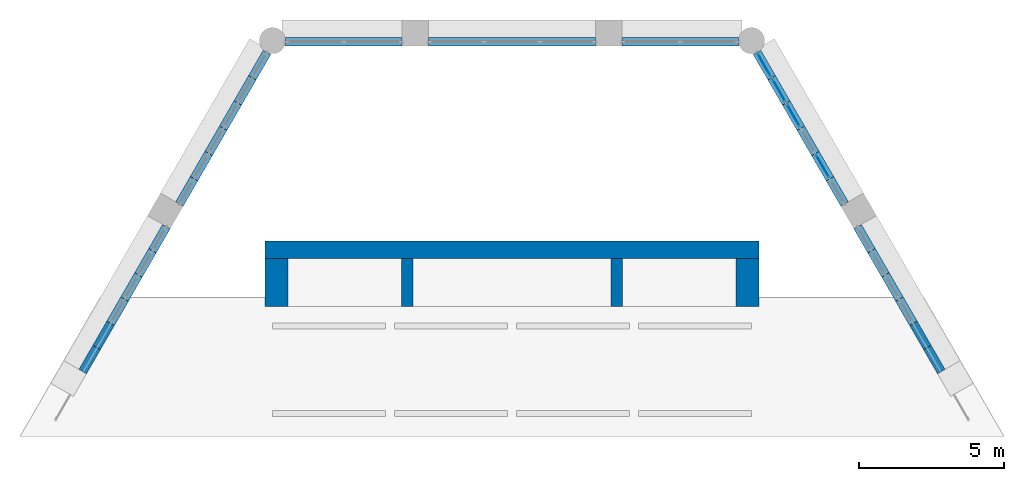
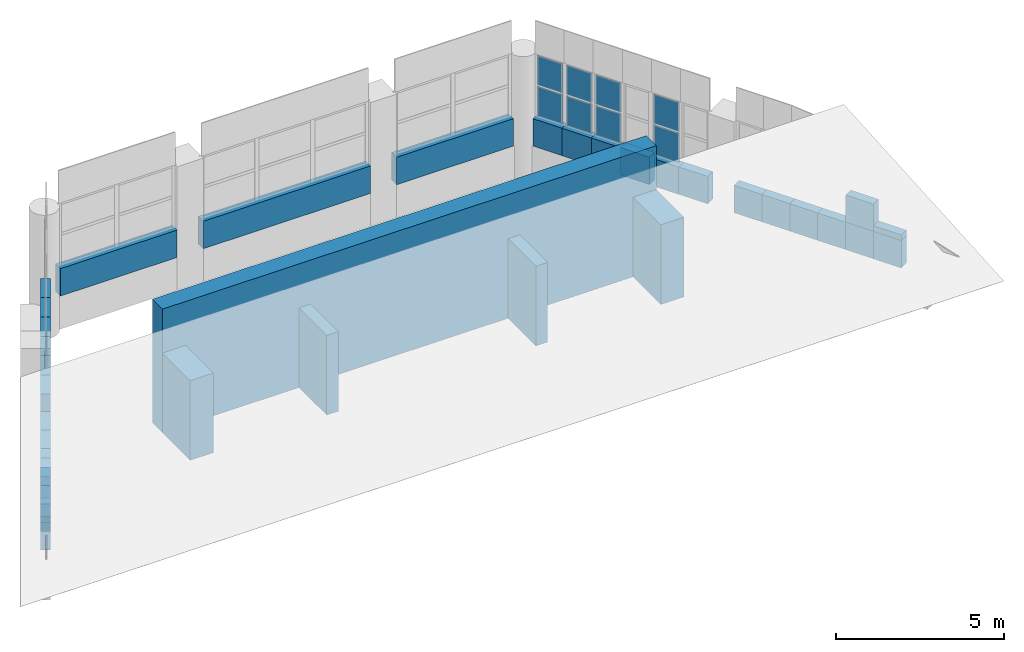
# One storey, part 10 of 11: 36 walls, 8 plates, 4 elements without a shape of their own.
"""IFC4 building model written with IfcOpenShell, lengths in metres."""

from ifc_helpers import new_model, si_unit, direction, frame, frame_2d, origin, origin_2d, place, context, subcontext, project, spatial, rectangle, extrude, material, layer, layer_set, type_object, element, aggregate, save


model = new_model("IFC4")

# Units and contexts
model_context = context("Model", 3, precision=1e-05, world=origin(), true_north=direction((0.0, 1.0)))
body_context = subcontext(model_context, "Body", "Model", "MODEL_VIEW")
ifc_project = project(units=[si_unit("LENGTHUNIT", "METRE"), si_unit("AREAUNIT", "SQUARE_METRE"), si_unit("VOLUMEUNIT", "CUBIC_METRE"), si_unit("PLANEANGLEUNIT", "RADIAN"), si_unit("MASSUNIT", "GRAM", prefix="KILO")], contexts=[model_context])

# Site, building, storey
site_placement = place(None, origin())
site = spatial("IfcSite", under=ifc_project, at=site_placement, CompositionType="ELEMENT")
building_placement = place(site_placement, origin())
building = spatial("IfcBuilding", under=site, at=building_placement, Name="Ostrander Bayou Hotel Tower", CompositionType="ELEMENT")
storey_placement = place(building_placement, frame((0.0, 0.0, 293.0)))
storey = spatial("IfcBuildingStorey", under=building, at=storey_placement, Name="Roof 72", CompositionType="ELEMENT", Elevation=293.0)

# Curtain wall, plates
ifc_material_1 = material(Name="Aluminium and clear glass", Category="aluminium")
curtain_wall_type = type_object("IfcCurtainWallType", Name="CW-CROWN glazed wall", PredefinedType="NOTDEFINED", material=ifc_material_1)
curtain_wall_1_placement = place(storey_placement, origin())
curtain_wall_1 = element("IfcCurtainWall", 1, at=curtain_wall_1_placement, inside=storey, type_object=curtain_wall_type, Name="CW-CROWN L72:NE-3-2", PredefinedType="NOTDEFINED")
ifc_material_2 = material(Name="Clear laminated glass", Category="glass")
ifc_layer_1 = layer(ifc_material_2, 0.028076171875)
ifc_layer_set_1 = layer_set([ifc_layer_1], Name="CW-CR glazing panel 28 mm")
plate_type = type_object("IfcPlateType", Name="CW-CR glazing panel 28 mm", PredefinedType="CURTAIN_PANEL", material=ifc_layer_set_1)
plate_1_placement = place(storey_placement, frame((10.689208984375, 12.27294921875, 1.06005859375), z_axis=(0.0, 0.0, 1.0), x_axis=(-0.50004173523, 0.866001306597, 0.0)))
plate_1 = element("IfcPlate", 2, at=plate_1_placement, type_object=plate_type, Name="CW-CROWN panel 1.1", PredefinedType="CURTAIN_PANEL", context=body_context, shape_type="SweptSolid", body=[
    extrude(rectangle(XDim=0.883056640625, YDim=0.028076171875, at=origin_2d()), origin(), (0.0, 0.0, 1.0), 1.06005859375),
])
plate_2_placement = place(storey_placement, frame((10.689208984375, 12.27294921875, 2.179931640625), z_axis=(0.0, 0.0, 1.0), x_axis=(-0.50004173523, 0.866001306597, 0.0)))
plate_2 = element("IfcPlate", 3, at=plate_2_placement, type_object=plate_type, Name="CW-CROWN panel 1.2", PredefinedType="CURTAIN_PANEL", context=body_context, shape_type="SweptSolid", body=[
    extrude(rectangle(XDim=0.883056640625, YDim=0.028076171875, at=origin_2d()), origin(), (0.0, 0.0, 1.0), 1.06005859375),
])
aggregate(curtain_wall_1, [plate_1, plate_2])

curtain_wall_2_placement = place(storey_placement, origin())
curtain_wall_2 = element("IfcCurtainWall", 4, at=curtain_wall_2_placement, inside=storey, type_object=curtain_wall_type, Name="CW-CROWN L72:NE-3-4", PredefinedType="NOTDEFINED")
plate_3_placement = place(storey_placement, frame((9.68603515625, 14.010498046875, 1.06005859375), z_axis=(0.0, 0.0, 1.0), x_axis=(-0.499998569184, 0.866026229865, 0.0)))
plate_3 = element("IfcPlate", 5, at=plate_3_placement, type_object=plate_type, Name="CW-CROWN panel 1.1", PredefinedType="CURTAIN_PANEL", context=body_context, shape_type="SweptSolid", body=[
    extrude(rectangle(XDim=0.88330078125, YDim=0.028076171875, at=origin_2d()), origin(), (0.0, 0.0, 1.0), 1.06005859375),
])
plate_4_placement = place(storey_placement, frame((9.68603515625, 14.010498046875, 2.179931640625), z_axis=(0.0, 0.0, 1.0), x_axis=(-0.499998569184, 0.866026229865, 0.0)))
plate_4 = element("IfcPlate", 6, at=plate_4_placement, type_object=plate_type, Name="CW-CROWN panel 1.2", PredefinedType="CURTAIN_PANEL", context=body_context, shape_type="SweptSolid", body=[
    extrude(rectangle(XDim=0.88330078125, YDim=0.028076171875, at=origin_2d()), origin(), (0.0, 0.0, 1.0), 1.06005859375),
])
aggregate(curtain_wall_2, [plate_3, plate_4])

curtain_wall_3_placement = place(storey_placement, origin())
curtain_wall_3 = element("IfcCurtainWall", 7, at=curtain_wall_3_placement, inside=storey, type_object=curtain_wall_type, Name="CW-CROWN L72:NE-3-5", PredefinedType="NOTDEFINED")
plate_5_placement = place(storey_placement, frame((9.184326171875, 14.879150390625, 1.06005859375), z_axis=(0.0, 0.0, 1.0), x_axis=(-0.50004173523, 0.866001306597, 0.0)))
plate_5 = element("IfcPlate", 8, at=plate_5_placement, type_object=plate_type, Name="CW-CROWN panel 1.1", PredefinedType="CURTAIN_PANEL", context=body_context, shape_type="SweptSolid", body=[
    extrude(rectangle(XDim=0.883056640625, YDim=0.028076171875, at=origin_2d()), origin(), (0.0, 0.0, 1.0), 1.06005859375),
])
plate_6_placement = place(storey_placement, frame((9.184326171875, 14.879150390625, 2.179931640625), z_axis=(0.0, 0.0, 1.0), x_axis=(-0.50004173523, 0.866001306597, 0.0)))
plate_6 = element("IfcPlate", 9, at=plate_6_placement, type_object=plate_type, Name="CW-CROWN panel 1.2", PredefinedType="CURTAIN_PANEL", context=body_context, shape_type="SweptSolid", body=[
    extrude(rectangle(XDim=0.883056640625, YDim=0.028076171875, at=origin_2d()), origin(), (0.0, 0.0, 1.0), 1.06005859375),
])
aggregate(curtain_wall_3, [plate_5, plate_6])

curtain_wall_4_placement = place(storey_placement, origin())
curtain_wall_4 = element("IfcCurtainWall", 10, at=curtain_wall_4_placement, inside=storey, type_object=curtain_wall_type, Name="CW-CROWN L72:NE-3-6", PredefinedType="NOTDEFINED")
plate_7_placement = place(storey_placement, frame((8.682861328125, 15.748046875, 1.06005859375), z_axis=(0.0, 0.0, 1.0), x_axis=(-0.499998569184, 0.866026229865, 0.0)))
plate_7 = element("IfcPlate", 11, at=plate_7_placement, type_object=plate_type, Name="CW-CROWN panel 1.1", PredefinedType="CURTAIN_PANEL", context=body_context, shape_type="SweptSolid", body=[
    extrude(rectangle(XDim=0.88330078125, YDim=0.028076171875, at=origin_2d()), origin(), (0.0, 0.0, 1.0), 1.06005859375),
])
plate_8_placement = place(storey_placement, frame((8.682861328125, 15.748046875, 2.179931640625), z_axis=(0.0, 0.0, 1.0), x_axis=(-0.499998569184, 0.866026229865, 0.0)))
plate_8 = element("IfcPlate", 12, at=plate_8_placement, type_object=plate_type, Name="CW-CROWN panel 1.2", PredefinedType="CURTAIN_PANEL", context=body_context, shape_type="SweptSolid", body=[
    extrude(rectangle(XDim=0.88330078125, YDim=0.028076171875, at=origin_2d()), origin(), (0.0, 0.0, 1.0), 1.06005859375),
])
aggregate(curtain_wall_4, [plate_7, plate_8])

# Walls
ifc_material_3 = material(Name="Concrete f'c 60 MPa", Category="concrete")
ifc_layer_2 = layer(ifc_material_3, 0.60009765625)
ifc_layer_set_2 = layer_set([ifc_layer_2], Name="CW10 core wall 600 mm f'c 60 MPa")
wall_type_1 = type_object("IfcWallType", Name="CW10 core wall 600 mm f'c 60 MPa", PredefinedType="SHEAR", material=ifc_layer_set_2)
wall_1_placement = place(storey_placement, frame((-8.5, 9.39990234375, -0.300048828125), z_axis=(0.0, 0.0, 1.0), x_axis=(1.0, 0.0, 0.0)))
element("IfcWall", 13, at=wall_1_placement, inside=storey, type_object=wall_type_1, Name="CW10 L72 N", PredefinedType="SHEAR", context=body_context, shape_type="SweptSolid", body=[
    extrude(rectangle(XDim=17.0, YDim=0.60009765625, at=frame_2d((8.5, 0.0))), origin(), (0.0, 0.0, 1.0), 4.5),
])
ifc_material_4 = material(Name="Concrete f'c 60 MPa", Category="concrete")
ifc_layer_3 = layer(ifc_material_4, 0.800048828125)
ifc_layer_set_3 = layer_set([ifc_layer_3], Name="CW11 core spine wall 800 mm f'c 60 MPa")
wall_type_2 = type_object("IfcWallType", Name="CW11 core spine wall 800 mm f'c 60 MPa", PredefinedType="SHEAR", material=ifc_layer_set_3)
for number, where, z_axis, x_axis, name in (
    (14, (-8.10009765625, 7.44384765625, -0.300048828125), (0.0, 0.0, 1.0), (0.0, 1.0, 0.0), "CW11 L72 W"),
    (15, (8.10009765625, 7.44384765625, -0.300048828125), (0.0, 0.0, 1.0), (0.0, 1.0, 0.0), "CW11 L72 E"),
):
    element("IfcWall", number, at=place(storey_placement, frame(where, z_axis=z_axis, x_axis=x_axis)), inside=storey, type_object=wall_type_2, Name=name, PredefinedType="SHEAR", context=body_context, shape_type="SweptSolid", body=[
        extrude(rectangle(XDim=1.65625, YDim=0.800048828125, at=frame_2d((0.828125, 0.0))), origin(), (0.0, 0.0, 1.0), 2.900146484375),
    ])
ifc_material_5 = material(Name="Concrete f'c 60 MPa", Category="concrete")
ifc_layer_4 = layer(ifc_material_5, 0.39990234375)
ifc_layer_set_4 = layer_set([ifc_layer_4], Name="CW12 core bank wall 400 mm f'c 60 MPa")
wall_type_3 = type_object("IfcWallType", Name="CW12 core bank wall 400 mm f'c 60 MPa", PredefinedType="SHEAR", material=ifc_layer_set_4)
for number, where, z_axis, x_axis, name in (
    (16, (-3.60009765625, 7.44384765625, -0.300048828125), (0.0, 0.0, 1.0), (0.0, 1.0, 0.0), "CW12 L72 CW"),
    (17, (3.60009765625, 7.44384765625, -0.300048828125), (0.0, 0.0, 1.0), (0.0, 1.0, 0.0), "CW12 L72 CE"),
):
    element("IfcWall", number, at=place(storey_placement, frame(where, z_axis=z_axis, x_axis=x_axis)), inside=storey, type_object=wall_type_3, Name=name, PredefinedType="SHEAR", context=body_context, shape_type="SweptSolid", body=[
        extrude(rectangle(XDim=1.65625, YDim=0.39990234375, at=frame_2d((0.828125, 0.0))), origin(), (0.0, 0.0, 1.0), 2.900146484375),
    ])
ifc_material_6 = material(Name="Reconstituted stone on masonry backing", Category="masonry")
ifc_layer_5 = layer(ifc_material_6, 0.300048828125)
ifc_layer_set_5 = layer_set([ifc_layer_5], Name="NW1 north stone wall 300 mm")
wall_type_4 = type_object("IfcWallType", Name="NW1 north stone wall 300 mm", PredefinedType="SOLIDWALL", material=ifc_layer_set_5)
wall_2_placement = place(storey_placement, frame((7.7958984375, 16.550048828125, 0.0), z_axis=(0.0, 0.0, 1.0), x_axis=(-1.0, 0.0, 0.0)))
element("IfcWall", 18, at=wall_2_placement, inside=storey, type_object=wall_type_4, Name="NW1 L72 N-1 sill", PredefinedType="SOLIDWALL", context=body_context, shape_type="SweptSolid", body=[
    extrude(rectangle(XDim=4.0166015625, YDim=0.300048828125, at=frame_2d((2.00830078125, 0.0))), origin(), (0.0, 0.0, 1.0), 1.0),
])
wall_3_placement = place(storey_placement, frame((2.87939453125, 16.550048828125, 0.0), z_axis=(0.0, 0.0, 1.0), x_axis=(-1.0, 0.0, 0.0)))
element("IfcWall", 19, at=wall_3_placement, inside=storey, type_object=wall_type_4, Name="NW1 L72 N-2 sill", PredefinedType="SOLIDWALL", context=body_context, shape_type="SweptSolid", body=[
    extrude(rectangle(XDim=5.7587890625, YDim=0.300048828125, at=frame_2d((2.87939453125, 0.0))), origin(), (0.0, 0.0, 1.0), 1.0),
])
wall_4_placement = place(storey_placement, frame((-3.779296875, 16.550048828125, 0.0), z_axis=(0.0, 0.0, 1.0), x_axis=(-1.0, 0.0, 0.0)))
element("IfcWall", 20, at=wall_4_placement, inside=storey, type_object=wall_type_4, Name="NW1 L72 N-3 sill", PredefinedType="SOLIDWALL", context=body_context, shape_type="SweptSolid", body=[
    extrude(rectangle(XDim=4.0166015625, YDim=0.300048828125, at=frame_2d((2.00830078125, 0.0))), origin(), (0.0, 0.0, 1.0), 1.0),
])
wall_5_placement = place(storey_placement, frame((-8.431884765625, 16.182373046875, 0.0), z_axis=(0.0, 0.0, 1.0), x_axis=(-0.500143783026, -0.865942374699, 0.0)))
element("IfcWall", 21, at=wall_5_placement, inside=storey, type_object=wall_type_4, Name="NW1 L72 NW-1-1 sill", PredefinedType="SOLIDWALL", context=body_context, shape_type="SweptSolid", body=[
    extrude(rectangle(XDim=1.003173828125, YDim=0.300048828125, at=frame_2d((0.50146484375, 0.0))), origin(), (0.0, 0.0, 1.0), 1.0),
])
wall_6_placement = place(storey_placement, frame((-8.93359375, 15.313720703125, 0.0), z_axis=(0.0, 0.0, 1.0), x_axis=(-0.500038395149, -0.8660032352, 0.0)))
element("IfcWall", 22, at=wall_6_placement, inside=storey, type_object=wall_type_4, Name="NW1 L72 NW-1-2 sill", PredefinedType="SOLIDWALL", context=body_context, shape_type="SweptSolid", body=[
    extrude(rectangle(XDim=1.00341796875, YDim=0.300048828125, at=frame_2d((0.501708984375, 0.0))), origin(), (0.0, 0.0, 1.0), 1.0),
])
wall_7_placement = place(storey_placement, frame((-9.435302734375, 14.44482421875, 0.0), z_axis=(0.0, 0.0, 1.0), x_axis=(-0.499961250474, -0.866047774678, 0.0)))
element("IfcWall", 23, at=wall_7_placement, inside=storey, type_object=wall_type_4, Name="NW1 L72 NW-1-3 sill", PredefinedType="SOLIDWALL", context=body_context, shape_type="SweptSolid", body=[
    extrude(rectangle(XDim=1.0029296875, YDim=0.300048828125, at=frame_2d((0.50146484375, 0.0))), origin(), (0.0, 0.0, 1.0), 1.0),
])
for number, where, z_axis, x_axis, name in (
    (24, (-9.936767578125, 13.576171875, 0.0), (0.0, 0.0, 1.0), (-0.499855875421, -0.866108598161, 0.0), "NW1 L72 NW-1-4 sill"),
    (25, (-10.438232421875, 12.707275390625, 0.0), (0.0, 0.0, 1.0), (-0.500143783026, -0.865942374699, 0.0), "NW1 L72 NW-1-5 sill"),
    (26, (-10.93994140625, 11.838623046875, 0.0), (0.0, 0.0, 1.0), (-0.499855875421, -0.866108598161, 0.0), "NW1 L72 NW-1-6 sill"),
):
    element("IfcWall", number, at=place(storey_placement, frame(where, z_axis=z_axis, x_axis=x_axis)), inside=storey, type_object=wall_type_4, Name=name, PredefinedType="SOLIDWALL", context=body_context, shape_type="SweptSolid", body=[
        extrude(rectangle(XDim=1.003173828125, YDim=0.300048828125, at=frame_2d((0.50146484375, 0.0))), origin(), (0.0, 0.0, 1.0), 1.0),
    ])
for number, where, z_axis, x_axis, name in (
    (27, (-11.8916015625, 10.1904296875, 0.0), (0.0, 0.0, 1.0), (-0.499832553123, -0.866122057702, 0.0), "NW1 L72 NW-2-1 sill"),
    (28, (-12.371337890625, 9.359130859375, 0.0), (0.0, 0.0, 1.0), (-0.500133489192, -0.865948320045, 0.0), "NW1 L72 NW-2-2 sill"),
):
    element("IfcWall", number, at=place(storey_placement, frame(where, z_axis=z_axis, x_axis=x_axis)), inside=storey, type_object=wall_type_4, Name=name, PredefinedType="SOLIDWALL", context=body_context, shape_type="SweptSolid", body=[
        extrude(rectangle(XDim=0.959716796875, YDim=0.300048828125, at=frame_2d((0.47998046875, 0.0))), origin(), (0.0, 0.0, 1.0), 1.0),
    ])
wall_8_placement = place(storey_placement, frame((-12.851318359375, 8.528076171875, 0.0), z_axis=(0.0, 0.0, 1.0), x_axis=(-0.500023335103, -0.866011930837, 0.0)))
element("IfcWall", 29, at=wall_8_placement, inside=storey, type_object=wall_type_4, Name="NW1 L72 NW-2-3 sill", PredefinedType="SOLIDWALL", context=body_context, shape_type="SweptSolid", body=[
    extrude(rectangle(XDim=0.9599609375, YDim=0.300048828125, at=frame_2d((0.47998046875, 0.0))), origin(), (0.0, 0.0, 1.0), 1.0),
])
wall_9_placement = place(storey_placement, frame((-13.331298828125, 7.69677734375, 0.0), z_axis=(0.0, 0.0, 1.0), x_axis=(-0.499832553123, -0.866122057702, 0.0)))
element("IfcWall", 30, at=wall_9_placement, inside=storey, type_object=wall_type_4, Name="NW1 L72 NW-2-4 sill", PredefinedType="SOLIDWALL", context=body_context, shape_type="SweptSolid", body=[
    extrude(rectangle(XDim=0.959716796875, YDim=0.300048828125, at=frame_2d((0.47998046875, 0.0))), origin(), (0.0, 0.0, 1.0), 1.0),
])
wall_10_placement = place(storey_placement, frame((-13.81103515625, 6.865478515625, 0.0), z_axis=(0.0, 0.0, 1.0), x_axis=(-0.500023335103, -0.866011930837, 0.0)))
element("IfcWall", 31, at=wall_10_placement, inside=storey, type_object=wall_type_4, Name="NW1 L72 NW-2-5 sill", PredefinedType="SOLIDWALL", context=body_context, shape_type="SweptSolid", body=[
    extrude(rectangle(XDim=0.9599609375, YDim=0.300048828125, at=frame_2d((0.47998046875, 0.0))), origin(), (0.0, 0.0, 1.0), 1.0),
])
wall_11_placement = place(storey_placement, frame((-13.81103515625, 6.865478515625, 1.0), z_axis=(0.0, 0.0, 1.0), x_axis=(-0.500023335103, -0.866011930837, 0.0)))
element("IfcWall", 32, at=wall_11_placement, inside=storey, type_object=wall_type_4, Name="NW1 L72 NW-2-5 infill", PredefinedType="SOLIDWALL", context=body_context, shape_type="SweptSolid", body=[
    extrude(rectangle(XDim=0.9599609375, YDim=0.300048828125, at=frame_2d((0.47998046875, 0.0))), origin(), (0.0, 0.0, 1.0), 0.989013671875),
])
wall_12_placement = place(storey_placement, frame((-14.291015625, 6.0341796875, 0.0), z_axis=(0.0, 0.0, 1.0), x_axis=(-0.500133489192, -0.865948320045, 0.0)))
element("IfcWall", 33, at=wall_12_placement, inside=storey, type_object=wall_type_4, Name="NW1 L72 NW-2-6 sill", PredefinedType="SOLIDWALL", context=body_context, shape_type="SweptSolid", body=[
    extrude(rectangle(XDim=0.959716796875, YDim=0.300048828125, at=frame_2d((0.47998046875, 0.0))), origin(), (0.0, 0.0, 1.0), 1.0),
])
wall_13_placement = place(storey_placement, frame((-14.291015625, 6.0341796875, 1.0), z_axis=(0.0, 0.0, 1.0), x_axis=(-0.500133489192, -0.865948320045, 0.0)))
element("IfcWall", 34, at=wall_13_placement, inside=storey, type_object=wall_type_4, Name="NW1 L72 NW-2-6 infill", PredefinedType="SOLIDWALL", context=body_context, shape_type="SweptSolid", body=[
    extrude(rectangle(XDim=0.959716796875, YDim=0.300048828125, at=frame_2d((0.47998046875, 0.0))), origin(), (0.0, 0.0, 1.0), 0.2060546875),
])
wall_14_placement = place(storey_placement, frame((14.77099609375, 5.203125, 0.0), z_axis=(0.0, 0.0, 1.0), x_axis=(-0.500133489192, 0.865948320045, 0.0)))
element("IfcWall", 35, at=wall_14_placement, inside=storey, type_object=wall_type_4, Name="NW1 L72 NE-2-1 sill", PredefinedType="SOLIDWALL", context=body_context, shape_type="SweptSolid", body=[
    extrude(rectangle(XDim=0.959716796875, YDim=0.300048828125, at=frame_2d((0.47998046875, 0.0))), origin(), (0.0, 0.0, 1.0), 1.0),
])
wall_15_placement = place(storey_placement, frame((14.77099609375, 5.203125, 1.0), z_axis=(0.0, 0.0, 1.0), x_axis=(-0.500133489192, 0.865948320045, 0.0)))
element("IfcWall", 36, at=wall_15_placement, inside=storey, type_object=wall_type_4, Name="NW1 L72 NE-2-1 infill", PredefinedType="SOLIDWALL", context=body_context, shape_type="SweptSolid", body=[
    extrude(rectangle(XDim=0.959716796875, YDim=0.300048828125, at=frame_2d((0.47998046875, 0.0))), origin(), (0.0, 0.0, 1.0), 0.2060546875),
])
wall_16_placement = place(storey_placement, frame((14.291015625, 6.0341796875, 0.0), z_axis=(0.0, 0.0, 1.0), x_axis=(-0.500023335103, 0.866011930837, 0.0)))
element("IfcWall", 37, at=wall_16_placement, inside=storey, type_object=wall_type_4, Name="NW1 L72 NE-2-2 sill", PredefinedType="SOLIDWALL", context=body_context, shape_type="SweptSolid", body=[
    extrude(rectangle(XDim=0.9599609375, YDim=0.300048828125, at=frame_2d((0.47998046875, 0.0))), origin(), (0.0, 0.0, 1.0), 1.0),
])
wall_17_placement = place(storey_placement, frame((14.291015625, 6.0341796875, 1.0), z_axis=(0.0, 0.0, 1.0), x_axis=(-0.500023335103, 0.866011930837, 0.0)))
element("IfcWall", 38, at=wall_17_placement, inside=storey, type_object=wall_type_4, Name="NW1 L72 NE-2-2 infill", PredefinedType="SOLIDWALL", context=body_context, shape_type="SweptSolid", body=[
    extrude(rectangle(XDim=0.9599609375, YDim=0.300048828125, at=frame_2d((0.47998046875, 0.0))), origin(), (0.0, 0.0, 1.0), 0.989013671875),
])
wall_18_placement = place(storey_placement, frame((13.81103515625, 6.865478515625, 0.0), z_axis=(0.0, 0.0, 1.0), x_axis=(-0.499832553123, 0.866122057702, 0.0)))
element("IfcWall", 39, at=wall_18_placement, inside=storey, type_object=wall_type_4, Name="NW1 L72 NE-2-3 sill", PredefinedType="SOLIDWALL", context=body_context, shape_type="SweptSolid", body=[
    extrude(rectangle(XDim=0.959716796875, YDim=0.300048828125, at=frame_2d((0.47998046875, 0.0))), origin(), (0.0, 0.0, 1.0), 1.0),
])
wall_19_placement = place(storey_placement, frame((13.331298828125, 7.69677734375, 0.0), z_axis=(0.0, 0.0, 1.0), x_axis=(-0.500023335103, 0.866011930837, 0.0)))
element("IfcWall", 40, at=wall_19_placement, inside=storey, type_object=wall_type_4, Name="NW1 L72 NE-2-4 sill", PredefinedType="SOLIDWALL", context=body_context, shape_type="SweptSolid", body=[
    extrude(rectangle(XDim=0.9599609375, YDim=0.300048828125, at=frame_2d((0.47998046875, 0.0))), origin(), (0.0, 0.0, 1.0), 1.0),
])
for number, where, z_axis, x_axis, name in (
    (41, (12.851318359375, 8.528076171875, 0.0), (0.0, 0.0, 1.0), (-0.500133489192, 0.865948320045, 0.0), "NW1 L72 NE-2-5 sill"),
    (42, (12.371337890625, 9.359130859375, 0.0), (0.0, 0.0, 1.0), (-0.499832553123, 0.866122057702, 0.0), "NW1 L72 NE-2-6 sill"),
):
    element("IfcWall", number, at=place(storey_placement, frame(where, z_axis=z_axis, x_axis=x_axis)), inside=storey, type_object=wall_type_4, Name=name, PredefinedType="SOLIDWALL", context=body_context, shape_type="SweptSolid", body=[
        extrude(rectangle(XDim=0.959716796875, YDim=0.300048828125, at=frame_2d((0.47998046875, 0.0))), origin(), (0.0, 0.0, 1.0), 1.0),
    ])
for number, where, z_axis, x_axis, name in (
    (43, (11.44140625, 10.9697265625, 0.0), (0.0, 0.0, 1.0), (-0.499855875421, 0.866108598161, 0.0), "NW1 L72 NE-3-1 sill"),
    (44, (10.93994140625, 11.838623046875, 0.0), (0.0, 0.0, 1.0), (-0.500143783026, 0.865942374699, 0.0), "NW1 L72 NE-3-2 sill"),
    (45, (10.438232421875, 12.707275390625, 0.0), (0.0, 0.0, 1.0), (-0.499855875421, 0.866108598161, 0.0), "NW1 L72 NE-3-3 sill"),
):
    element("IfcWall", number, at=place(storey_placement, frame(where, z_axis=z_axis, x_axis=x_axis)), inside=storey, type_object=wall_type_4, Name=name, PredefinedType="SOLIDWALL", context=body_context, shape_type="SweptSolid", body=[
        extrude(rectangle(XDim=1.003173828125, YDim=0.300048828125, at=frame_2d((0.50146484375, 0.0))), origin(), (0.0, 0.0, 1.0), 1.0),
    ])
wall_20_placement = place(storey_placement, frame((9.936767578125, 13.576171875, 0.0), z_axis=(0.0, 0.0, 1.0), x_axis=(-0.499961250474, 0.866047774678, 0.0)))
element("IfcWall", 46, at=wall_20_placement, inside=storey, type_object=wall_type_4, Name="NW1 L72 NE-3-4 sill", PredefinedType="SOLIDWALL", context=body_context, shape_type="SweptSolid", body=[
    extrude(rectangle(XDim=1.0029296875, YDim=0.300048828125, at=frame_2d((0.50146484375, 0.0))), origin(), (0.0, 0.0, 1.0), 1.0),
])
wall_21_placement = place(storey_placement, frame((9.435302734375, 14.44482421875, 0.0), z_axis=(0.0, 0.0, 1.0), x_axis=(-0.500038395149, 0.8660032352, 0.0)))
element("IfcWall", 47, at=wall_21_placement, inside=storey, type_object=wall_type_4, Name="NW1 L72 NE-3-5 sill", PredefinedType="SOLIDWALL", context=body_context, shape_type="SweptSolid", body=[
    extrude(rectangle(XDim=1.00341796875, YDim=0.300048828125, at=frame_2d((0.501708984375, 0.0))), origin(), (0.0, 0.0, 1.0), 1.0),
])
wall_22_placement = place(storey_placement, frame((8.93359375, 15.313720703125, 0.0), z_axis=(0.0, 0.0, 1.0), x_axis=(-0.500143783026, 0.865942374699, 0.0)))
element("IfcWall", 48, at=wall_22_placement, inside=storey, type_object=wall_type_4, Name="NW1 L72 NE-3-6 sill", PredefinedType="SOLIDWALL", context=body_context, shape_type="SweptSolid", body=[
    extrude(rectangle(XDim=1.003173828125, YDim=0.300048828125, at=frame_2d((0.50146484375, 0.0))), origin(), (0.0, 0.0, 1.0), 1.0),
])

save(model, "model.ifc")
